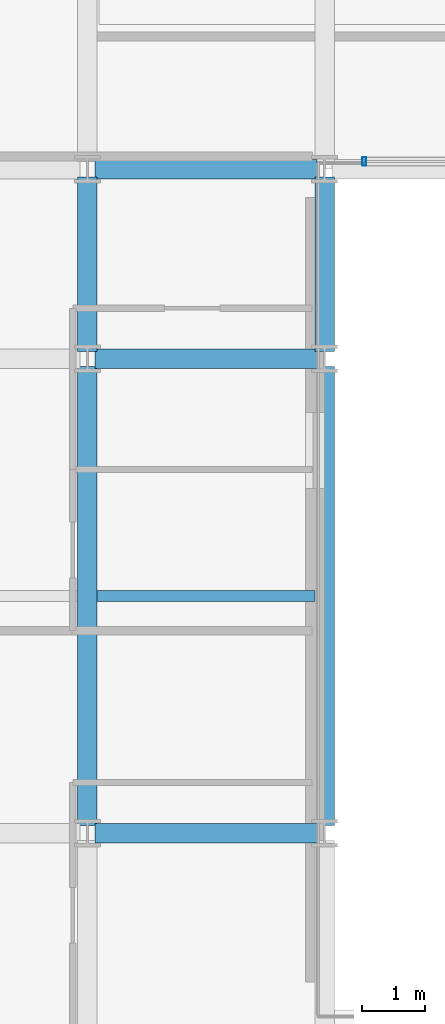
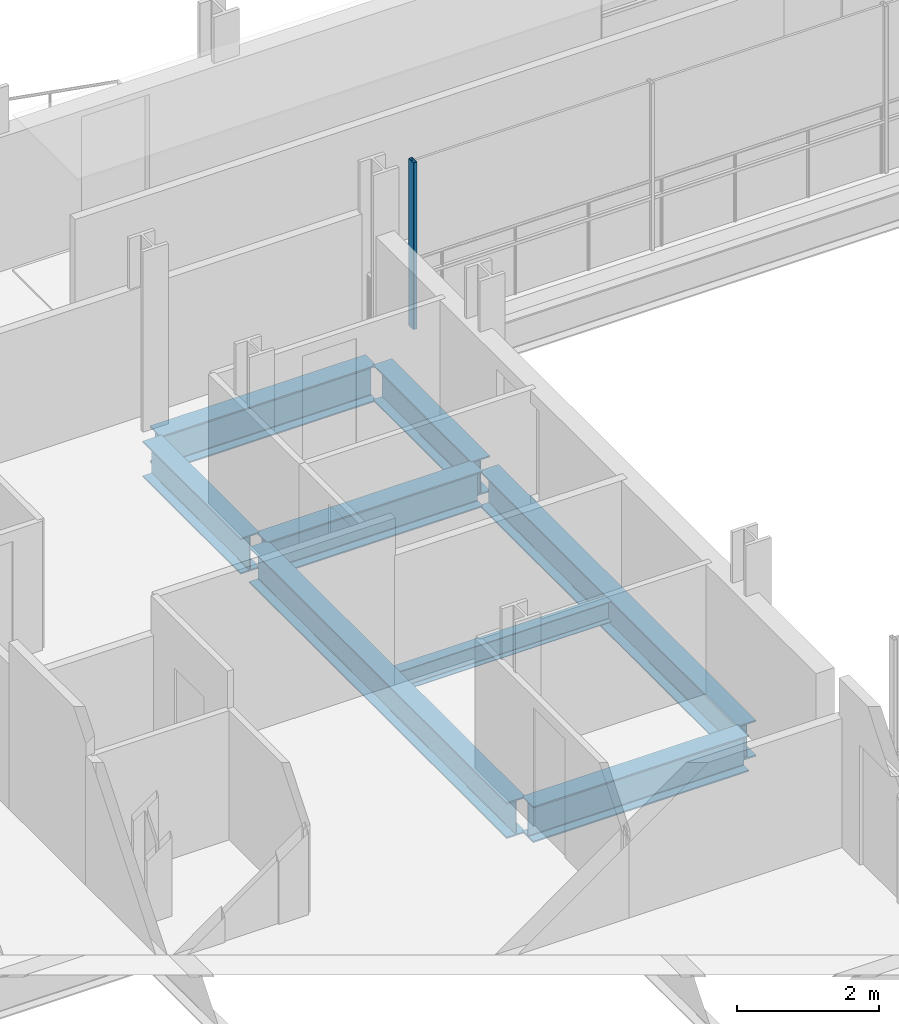
# One storey, part 8 of 39: 8 beams, 1 member, 1 element without a shape of its own.
"""IFC4 building model written with IfcOpenShell, lengths in metres."""

import ifcopenshell
import ifcopenshell.guid

model = None  # the IFC model being written
_history = None  # IfcOwnerHistory: only IFC2X3 demands one
_inside = {}  # id of a spatial element -> (the spatial element, [elements in it])
_under = {}  # id of a project, library or spatial element -> (it, [spatial elements below it])
_declared = {}  # id of a project -> (the project, [libraries it declares])
_typed = {}  # id of a type object -> (the type object, [elements of that type])
_made_of = {}  # id of a material, layer set ... -> (it, [elements and type objects made of it])


def new_model(schema):
    """Start an empty IFC model of exactly this schema.

    Asked for "IFC4X3", IfcOpenShell would pick the latest addendum, in which some entities
    have other attributes; the version numbers below select the first issue.
    IFC2X3 requires an IfcOwnerHistory on every rooted entity: one is made here for all.
    """
    global model, _history
    if schema == "IFC4X3":
        model = ifcopenshell.file(schema_version=(4, 3, 0, 0))
    else:
        model = ifcopenshell.file(schema=schema)
    _inside.clear()
    _under.clear()
    _declared.clear()
    _typed.clear()
    _made_of.clear()
    _history = None
    if model.schema == "IFC2X3":
        org = make("IfcOrganization", Name="unknown")
        user = make(
            "IfcPersonAndOrganization",
            ThePerson=make("IfcPerson", FamilyName="unknown"),
            TheOrganization=org,
        )
        app = make(
            "IfcApplication",
            ApplicationDeveloper=org,
            Version="unknown",
            ApplicationFullName="unknown",
            ApplicationIdentifier="unknown",
        )
        _history = make(
            "IfcOwnerHistory",
            OwningUser=user,
            OwningApplication=app,
            ChangeAction="ADDED",
            CreationDate=0,
        )
    return model


def make(cls, **values):
    """One entity of the class cls with the attributes given. An attribute that is None is left unset."""
    return model.create_entity(
        cls, **{name: value for name, value in values.items() if value is not None}
    )


def rooted(cls, **values):
    """An entity with a GlobalId (a new one), such as an element, a storey or a relation."""
    return make(cls, GlobalId=ifcopenshell.guid.new(), OwnerHistory=_history, **values)


def si_unit(unit_type, name, prefix=None):
    """IfcSIUnit, for example si_unit("LENGTHUNIT", "METRE", prefix="MILLI")."""
    return make("IfcSIUnit", UnitType=unit_type, Prefix=prefix, Name=name)


def assignment(units):
    """IfcUnitAssignment: the units of a project."""
    return None if units is None else make("IfcUnitAssignment", Units=units)


def point(xyz):
    """IfcCartesianPoint."""
    return None if xyz is None else make("IfcCartesianPoint", Coordinates=xyz)


def direction(xyz):
    """IfcDirection."""
    return None if xyz is None else make("IfcDirection", DirectionRatios=xyz)


def frame(location, z_axis=None, x_axis=None):
    """IfcAxis2Placement3D, a coordinate frame: its origin and axes. An axis left out is left unset."""
    return make(
        "IfcAxis2Placement3D",
        Location=point(location),
        Axis=direction(z_axis),
        RefDirection=direction(x_axis),
    )


def frame_2d(location, x_axis=None):
    """IfcAxis2Placement2D, a coordinate frame in the plane: its origin and x axis."""
    return make(
        "IfcAxis2Placement2D", Location=point(location), RefDirection=direction(x_axis)
    )


def origin():
    """The frame at (0, 0, 0) with its axes left unset."""
    return frame((0.0, 0.0, 0.0))


def origin_2d():
    """The frame at (0, 0) in the plane with its x axis left unset."""
    return frame_2d((0.0, 0.0))


def place(relative_to, where):
    """IfcLocalPlacement: puts the frame where relative to a parent placement (None: the world)."""
    return make(
        "IfcLocalPlacement", PlacementRelTo=relative_to, RelativePlacement=where
    )


def context(
    kind, dimensions, precision=None, world=None, true_north=None, identifier=None
):
    """IfcGeometricRepresentationContext, for example the 3D "Model" context."""
    return make(
        "IfcGeometricRepresentationContext",
        ContextIdentifier=identifier,
        ContextType=kind,
        CoordinateSpaceDimension=dimensions,
        Precision=precision,
        WorldCoordinateSystem=world,
        TrueNorth=true_north,
    )


def subcontext(parent, identifier, kind, view, scale=None):
    """IfcGeometricRepresentationSubContext, for example "Body" below "Model"."""
    return make(
        "IfcGeometricRepresentationSubContext",
        ContextIdentifier=identifier,
        ContextType=kind,
        ParentContext=parent,
        TargetScale=scale,
        TargetView=view,
    )


def project(units=None, contexts=None):
    """IfcProject with its units and contexts."""
    return rooted(
        "IfcProject",
        Name="project",
        RepresentationContexts=contexts,
        UnitsInContext=assignment(units),
    )


def spatial(cls, under=None, at=None, **own):
    """A site, building, storey or space (cls), placed at a placement, below another one or the project."""
    s = rooted(cls, ObjectPlacement=at, **own)
    if under is not None:
        _under.setdefault(under.id(), (under, []))[1].append(s)
    return s


def profile(cls, at=None, kind="AREA", **sizes):
    """A parametric profile (cls). Its sizes go by their IFC names, for example OverallWidth=200.0."""
    return make(cls, ProfileType=kind, Position=at, **sizes)


def hollow_rectangle(**sizes):
    """IfcRectangleHollowProfileDef."""
    return profile("IfcRectangleHollowProfileDef", **sizes)


def i_section(**sizes):
    """IfcIShapeProfileDef."""
    return profile("IfcIShapeProfileDef", **sizes)


def extrude(swept, where, along, depth):
    """IfcExtrudedAreaSolid: the profile swept, set in the frame where, extruded along a direction by depth."""
    return make(
        "IfcExtrudedAreaSolid",
        SweptArea=swept,
        Position=where,
        ExtrudedDirection=direction(along),
        Depth=depth,
    )


def shape(context_of_items, identifier, shape_type, items):
    """IfcShapeRepresentation: the items that make up one representation, for example the "Body"."""
    return make(
        "IfcShapeRepresentation",
        ContextOfItems=context_of_items,
        RepresentationIdentifier=identifier,
        RepresentationType=shape_type,
        Items=items,
    )


def material(Name=None, Category=None):
    """IfcMaterial."""
    return make("IfcMaterial", Name=Name, Category=Category)


def layer(
    of_material, thickness, ventilated=None, Name=None, Category=None, Priority=None
):
    """IfcMaterialLayer: one layer of a wall or slab, of a material (None: an air gap)."""
    return make(
        "IfcMaterialLayer",
        Material=of_material,
        LayerThickness=thickness,
        IsVentilated=ventilated,
        Name=Name,
        Category=Category,
        Priority=Priority,
    )


def layer_set(layers, Name=None):
    """IfcMaterialLayerSet."""
    return make("IfcMaterialLayerSet", MaterialLayers=layers, LayerSetName=Name)


def material_profile(
    of_material, cross_section, Name=None, Category=None, Priority=None
):
    """IfcMaterialProfile: a cross section and its material."""
    return make(
        "IfcMaterialProfile",
        Name=Name,
        Material=of_material,
        Profile=cross_section,
        Priority=Priority,
        Category=Category,
    )


def profile_set(profiles, Name=None, composite=None):
    """IfcMaterialProfileSet."""
    return make(
        "IfcMaterialProfileSet",
        Name=Name,
        MaterialProfiles=profiles,
        CompositeProfile=composite,
    )


def made_of(thing, what):
    """Note that an element or type object is made of a material, layer set ...; save() writes the relation."""
    if what is not None:
        _made_of.setdefault(what.id(), (what, []))[1].append(thing)
    return thing


def type_object(cls, material=None, **own):
    """A type object (cls), such as IfcWallType, which elements share."""
    return made_of(rooted(cls, **own), material)


def element(
    cls,
    number,
    at=None,
    inside=None,
    cuts=None,
    type_object=None,
    material=None,
    context=None,
    identifier="Body",
    shape_type=None,
    held_by="IfcProductDefinitionShape",
    body=None,
    shapes=None,
    **own,
):
    """One element of the class cls, such as IfcWall. Its Tag is "e" and its number.

    at: its placement. inside: the storey or other place that contains it. cuts: it is an
    opening in that element (IfcRelVoidsElement). A single representation is given by context,
    identifier, shape_type and body (its items); several are given by shapes. held_by: the class
    of the entity that holds the representations. save() writes the other relations.
    """
    e = rooted(cls, Tag="e%d" % number, ObjectPlacement=at, **own)
    if body is not None:
        shapes = [shape(context, identifier, shape_type, body)]
    if shapes is not None:
        e.Representation = make(held_by, Representations=shapes)
    if inside is not None:
        _inside.setdefault(inside.id(), (inside, []))[1].append(e)
    if cuts is not None:
        rooted(
            "IfcRelVoidsElement", RelatingBuildingElement=cuts, RelatedOpeningElement=e
        )
    if type_object is not None:
        _typed.setdefault(type_object.id(), (type_object, []))[1].append(e)
    return made_of(e, material)


def aggregate(whole, parts):
    """IfcRelAggregates: a whole, such as a stair, and the parts it consists of."""
    return rooted("IfcRelAggregates", RelatingObject=whole, RelatedObjects=parts)


def save(model, path):
    """Write the relations noted so far, then the file.

    IfcRelAggregates (storeys below a building ...), IfcRelContainedInSpatialStructure (elements
    in a storey), IfcRelDefinesByType, IfcRelAssociatesMaterial and IfcRelDeclares: one each for
    every whole, place, type object, material and project.
    """
    for whole, parts in _under.values():
        aggregate(whole, parts)
    for where, things in _inside.values():
        rooted(
            "IfcRelContainedInSpatialStructure",
            RelatedElements=things,
            RelatingStructure=where,
        )
    for kind, things in _typed.values():
        rooted("IfcRelDefinesByType", RelatedObjects=things, RelatingType=kind)
    for what, things in _made_of.values():
        rooted("IfcRelAssociatesMaterial", RelatedObjects=things, RelatingMaterial=what)
    for by, libraries in _declared.values():
        rooted("IfcRelDeclares", RelatingContext=by, RelatedDefinitions=libraries)
    model.write(path)


model = new_model("IFC4")

# Units and contexts
model_context = context("Model", 3, precision=1e-05, world=origin(), true_north=direction((0.0, 1.0)))
body_context = subcontext(model_context, "Body", "Model", "MODEL_VIEW")
ifc_project = project(units=[si_unit("LENGTHUNIT", "METRE"), si_unit("AREAUNIT", "SQUARE_METRE"), si_unit("VOLUMEUNIT", "CUBIC_METRE"), si_unit("PLANEANGLEUNIT", "RADIAN"), si_unit("MASSUNIT", "GRAM", prefix="KILO")], contexts=[model_context])

# Site, building, storey
site_placement = place(None, origin())
site = spatial("IfcSite", under=ifc_project, at=site_placement, CompositionType="ELEMENT")
building_placement = place(site_placement, origin())
building = spatial("IfcBuilding", under=site, at=building_placement, Name="Brevholm Reach", CompositionType="ELEMENT")
storey_placement = place(building_placement, frame((0.0, 0.0, 83.800048828125)))
storey = spatial("IfcBuildingStorey", under=building, at=storey_placement, Name="L24", CompositionType="ELEMENT", Elevation=83.800048828125)

# Beams
ifc_material_1 = material(Name="Structural Steel S355J2", Category="steel")
ifc_material_profile_1 = material_profile(ifc_material_1, i_section(OverallWidth=0.17138671875, OverallDepth=0.35498046875, WebThickness=0.00732421875, FlangeThickness=0.011474609375, FilletRadius=0.01025390625, at=origin_2d()), Name="UKB 356x171x51")
ifc_profile_set_1 = profile_set([ifc_material_profile_1], Name="Structural Steel S355J2")
beam_type_1 = type_object("IfcBeamType", Name="BM-B356", PredefinedType="BEAM", material=ifc_profile_set_1)
beam_1_placement = place(storey_placement, frame((18.153564453125, 19.75, -0.407470703125), z_axis=(1.0, 0.0, 0.0), x_axis=(0.0, 1.0, 0.0)))
element("IfcBeam", 1, at=beam_1_placement, inside=storey, type_object=beam_type_1, Name="L24 Composite Secondary Floor Beam", PredefinedType="BEAM", context=body_context, shape_type="SweptSolid", body=[
    extrude(i_section(OverallWidth=0.17138671875, OverallDepth=0.35498046875, WebThickness=0.00732421875, FlangeThickness=0.011474609375, FilletRadius=0.01025390625, at=origin_2d()), origin(), (0.0, 0.0, 1.0), 3.44287109375),
])
ifc_material_2 = material(Name="Structural Steel S355J2", Category="steel")
ifc_material_profile_2 = material_profile(ifc_material_2, i_section(OverallWidth=0.30712890625, OverallDepth=0.6201171875, WebThickness=0.01416015625, FlangeThickness=0.023681640625, FilletRadius=0.0166015625, at=origin_2d()), Name="UKB 610x305x179")
ifc_profile_set_2 = profile_set([ifc_material_profile_2], Name="Structural Steel S355J2")
beam_type_2 = type_object("IfcBeamType", Name="BM-UKB610H", PredefinedType="USERDEFINED", material=ifc_profile_set_2)
for number, where, z_axis, x_axis, name in (
    (2, (18.1201171875, 16.0, -0.5400390625), (1.0, 0.0, 0.0), (0.0, 1.0, 0.0), "L24 G-06 Framing Beam"),
    (3, (18.1201171875, 23.5, -0.5400390625), (1.0, 0.0, 0.0), (0.0, 1.0, 0.0), "L24 G-06 Framing Beam"),
    (4, (18.1201171875, 26.5, -0.5400390625), (1.0, 0.0, 0.0), (0.0, 1.0, 0.0), "L24 G-06 Framing Beam"),
):
    element("IfcBeam", number, at=place(storey_placement, frame(where, z_axis=z_axis, x_axis=x_axis)), inside=storey, type_object=beam_type_2, Name=name, ObjectType="GIRDER", PredefinedType="USERDEFINED", context=body_context, shape_type="SweptSolid", body=[
        extrude(i_section(OverallWidth=0.30712890625, OverallDepth=0.6201171875, WebThickness=0.01416015625, FlangeThickness=0.023681640625, FilletRadius=0.0166015625, at=origin_2d()), origin(), (0.0, 0.0, 1.0), 3.509765625),
    ])
beam_2_placement = place(storey_placement, frame((18.0, 16.1201171875, -0.5400390625), z_axis=(0.0, 1.0, 0.0), x_axis=(-1.0, 0.0, 0.0)))
element("IfcBeam", 5, at=beam_2_placement, inside=storey, type_object=beam_type_2, Name="L24 G-06 Framing Beam", ObjectType="GIRDER", PredefinedType="USERDEFINED", context=body_context, shape_type="SweptSolid", body=[
    extrude(i_section(OverallWidth=0.30712890625, OverallDepth=0.6201171875, WebThickness=0.01416015625, FlangeThickness=0.023681640625, FilletRadius=0.0166015625, at=origin_2d()), origin(), (0.0, 0.0, 1.0), 7.259765625),
])
beam_3_placement = place(storey_placement, frame((18.0, 23.6201171875, -0.5400390625), z_axis=(0.0, 1.0, 0.0), x_axis=(-1.0, 0.0, 0.0)))
element("IfcBeam", 6, at=beam_3_placement, inside=storey, type_object=beam_type_2, Name="L24 G-06 Framing Beam", ObjectType="GIRDER", PredefinedType="USERDEFINED", context=body_context, shape_type="SweptSolid", body=[
    extrude(i_section(OverallWidth=0.30712890625, OverallDepth=0.6201171875, WebThickness=0.01416015625, FlangeThickness=0.023681640625, FilletRadius=0.0166015625, at=origin_2d()), origin(), (0.0, 0.0, 1.0), 2.759765625),
])
beam_4_placement = place(storey_placement, frame((21.75, 16.1201171875, -0.5400390625), z_axis=(0.0, 1.0, 0.0), x_axis=(-1.0, 0.0, 0.0)))
element("IfcBeam", 7, at=beam_4_placement, inside=storey, type_object=beam_type_2, Name="L24 G-06 Framing Beam", ObjectType="GIRDER", PredefinedType="USERDEFINED", context=body_context, shape_type="SweptSolid", body=[
    extrude(i_section(OverallWidth=0.30712890625, OverallDepth=0.6201171875, WebThickness=0.01416015625, FlangeThickness=0.023681640625, FilletRadius=0.0166015625, at=origin_2d()), origin(), (0.0, 0.0, 1.0), 7.259765625),
])
beam_5_placement = place(storey_placement, frame((21.75, 23.6201171875, -0.5400390625), z_axis=(0.0, 1.0, 0.0), x_axis=(-1.0, 0.0, 0.0)))
element("IfcBeam", 8, at=beam_5_placement, inside=storey, type_object=beam_type_2, Name="L24 G-06 Framing Beam", ObjectType="GIRDER", PredefinedType="USERDEFINED", context=body_context, shape_type="SweptSolid", body=[
    extrude(i_section(OverallWidth=0.30712890625, OverallDepth=0.6201171875, WebThickness=0.01416015625, FlangeThickness=0.023681640625, FilletRadius=0.0166015625, at=origin_2d()), origin(), (0.0, 0.0, 1.0), 2.759765625),
])

# Curtain wall, member
ifc_material_3 = material(Name="Dark Anodised Aluminium 6063-T6 and Solar-Control Glass", Category="aluminium")
ifc_layer = layer(ifc_material_3, 0.139892578125)
ifc_layer_set = layer_set([ifc_layer], Name="Dark Anodised Aluminium 6063-T6 and Solar-Control Glass")
curtain_wall_type = type_object("IfcCurtainWallType", Name="CW-02", PredefinedType="NOTDEFINED", material=ifc_layer_set)
curtain_wall_placement = place(storey_placement, origin())
curtain_wall = element("IfcCurtainWall", 9, at=curtain_wall_placement, inside=storey, type_object=curtain_wall_type, Name="L24 Curtain Wall CW-02", PredefinedType="NOTDEFINED")
ifc_material_4 = material(Name="Dark Anodised Aluminium 6063-T6", Category="aluminium")
ifc_material_profile_3 = material_profile(ifc_material_4, hollow_rectangle(XDim=0.06005859375, YDim=0.139892578125, WallThickness=0.0048828125, InnerFilletRadius=0.0048828125, OuterFilletRadius=0.010009765625, at=origin_2d()), Name="RHS 140x60x5")
ifc_profile_set_3 = profile_set([ifc_material_profile_3], Name="Dark Anodised Aluminium 6063-T6")
member_type = type_object("IfcMemberType", Name="CWM-140", PredefinedType="MULLION", material=ifc_profile_set_3)
member_placement = place(storey_placement, frame((22.3798828125, 26.6201171875, 0.0), z_axis=(0.0, 0.0, 1.0), x_axis=(-1.0, 0.0, 0.0)))
member = element("IfcMember", 10, at=member_placement, type_object=member_type, Name="CM-140 Mullion 5", PredefinedType="MULLION", context=body_context, shape_type="SweptSolid", body=[
    extrude(hollow_rectangle(XDim=0.06005859375, YDim=0.139892578125, WallThickness=0.0048828125, InnerFilletRadius=0.0048828125, OuterFilletRadius=0.010009765625, at=origin_2d()), origin(), (0.0, 0.0, 1.0), 2.869873046875),
])
aggregate(curtain_wall, [member])

save(model, "model.ifc")
